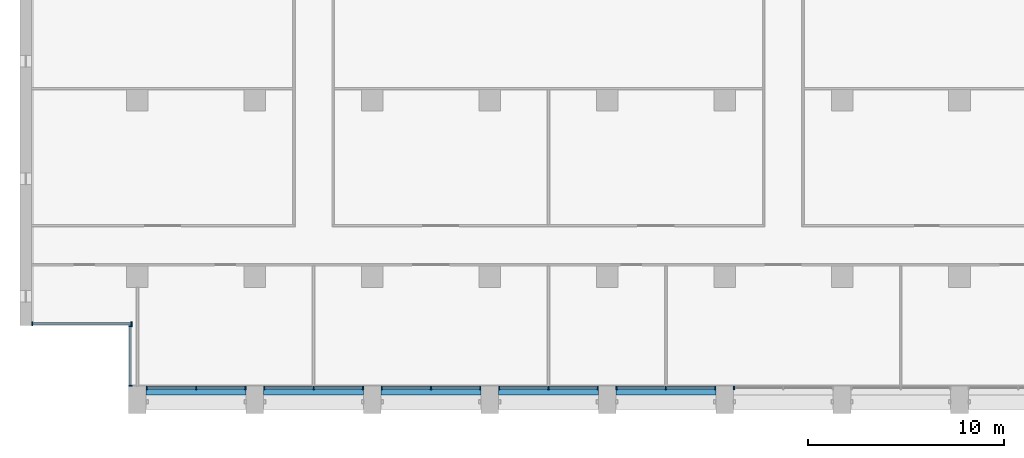
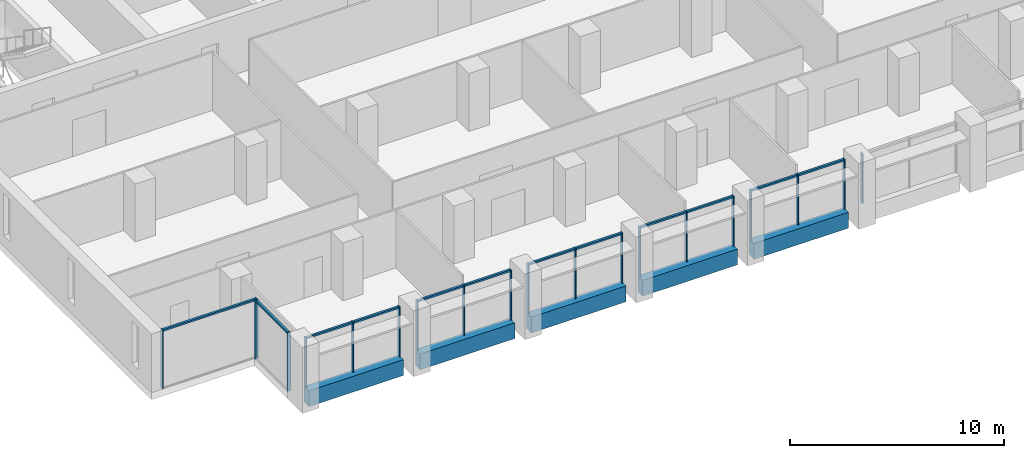
# One storey, part 2 of 17: 32 members, 5 beams, 8 elements without a shape of their own.
"""IFC4 building model written with IfcOpenShell, lengths in metres."""

from ifc_helpers import new_model, si_unit, direction, frame, origin, origin_2d, place, context, subcontext, project, spatial, rectangle, extrude, material, material_profile, profile_set, type_object, element, aggregate, save


model = new_model("IFC4")

# Units and contexts
model_context = context("Model", 3, precision=1e-05, world=origin(), true_north=direction((0.0, 1.0)))
body_context = subcontext(model_context, "Body", "Model", "MODEL_VIEW")
ifc_project = project(units=[si_unit("LENGTHUNIT", "METRE"), si_unit("AREAUNIT", "SQUARE_METRE"), si_unit("VOLUMEUNIT", "CUBIC_METRE"), si_unit("PLANEANGLEUNIT", "RADIAN"), si_unit("MASSUNIT", "GRAM", prefix="KILO")], contexts=[model_context])

# Site, building, storey
site_placement = place(None, origin())
site = spatial("IfcSite", under=ifc_project, at=site_placement, CompositionType="ELEMENT")
building_placement = place(site_placement, origin())
building = spatial("IfcBuilding", under=site, at=building_placement, Name="Calvaro Tower", CompositionType="ELEMENT")
storey_placement = place(building_placement, frame((0.0, 0.0, 196.75)))
storey = spatial("IfcBuildingStorey", under=building, at=storey_placement, Name="L49", CompositionType="ELEMENT", Elevation=196.75)

# Curtain wall, members
ifc_material_1 = material(Name="Anodised aluminium", Category="aluminium")
curtain_wall_type = type_object("IfcCurtainWallType", Name="Office curtain wall, upper zone", PredefinedType="NOTDEFINED", material=ifc_material_1)
curtain_wall_1_placement = place(storey_placement, origin())
curtain_wall_1 = element("IfcCurtainWall", 1, at=curtain_wall_1_placement, inside=storey, type_object=curtain_wall_type, Name="CW3 south curtain wall", PredefinedType="NOTDEFINED")
ifc_material_2 = material(Name="Anodised aluminium", Category="aluminium")
ifc_material_profile_1 = material_profile(ifc_material_2, rectangle(XDim=0.179931640625, YDim=0.06005859375, at=origin_2d()), Name="Mullion S3 60 x 180")
ifc_profile_set_1 = profile_set([ifc_material_profile_1], Name="Anodised aluminium")
member_type_1 = type_object("IfcMemberType", Name="Mullion S3 60 x 180", PredefinedType="MULLION", material=ifc_profile_set_1)
member_1_placement = place(storey_placement, frame((12.47998046875, 4.31005859375, 0.0), z_axis=(0.0, 0.0, 1.0), x_axis=(0.0, 1.0, 0.0)))
member_1 = element("IfcMember", 2, at=member_1_placement, type_object=member_type_1, Name="CW3 mullion 1", PredefinedType="MULLION", context=body_context, shape_type="SweptSolid", body=[
    extrude(rectangle(XDim=0.179931640625, YDim=0.06005859375, at=origin_2d()), origin(), (0.0, 0.0, 1.0), 2.85009765625),
])
member_2_placement = place(storey_placement, frame((15.0, 4.31005859375, 0.0), z_axis=(0.0, 0.0, 1.0), x_axis=(0.0, 1.0, 0.0)))
member_2 = element("IfcMember", 3, at=member_2_placement, type_object=member_type_1, Name="CW3 mullion 2", PredefinedType="MULLION", context=body_context, shape_type="SweptSolid", body=[
    extrude(rectangle(XDim=0.179931640625, YDim=0.06005859375, at=origin_2d()), origin(), (0.0, 0.0, 1.0), 2.85009765625),
])
member_3_placement = place(storey_placement, frame((17.52001953125, 4.31005859375, 0.0), z_axis=(0.0, 0.0, 1.0), x_axis=(0.0, 1.0, 0.0)))
member_3 = element("IfcMember", 4, at=member_3_placement, type_object=member_type_1, Name="CW3 mullion 3", PredefinedType="MULLION", context=body_context, shape_type="SweptSolid", body=[
    extrude(rectangle(XDim=0.179931640625, YDim=0.06005859375, at=origin_2d()), origin(), (0.0, 0.0, 1.0), 2.85009765625),
])

curtain_wall_2_placement = place(storey_placement, origin())
curtain_wall_2 = element("IfcCurtainWall", 5, at=curtain_wall_2_placement, inside=storey, type_object=curtain_wall_type, Name="CW3 south curtain wall", PredefinedType="NOTDEFINED")
member_4_placement = place(storey_placement, frame((18.47998046875, 4.31005859375, 0.0), z_axis=(0.0, 0.0, 1.0), x_axis=(0.0, 1.0, 0.0)))
member_4 = element("IfcMember", 6, at=member_4_placement, type_object=member_type_1, Name="CW3 mullion 1", PredefinedType="MULLION", context=body_context, shape_type="SweptSolid", body=[
    extrude(rectangle(XDim=0.179931640625, YDim=0.06005859375, at=origin_2d()), origin(), (0.0, 0.0, 1.0), 2.85009765625),
])
member_5_placement = place(storey_placement, frame((21.0, 4.31005859375, 0.0), z_axis=(0.0, 0.0, 1.0), x_axis=(0.0, 1.0, 0.0)))
member_5 = element("IfcMember", 7, at=member_5_placement, type_object=member_type_1, Name="CW3 mullion 2", PredefinedType="MULLION", context=body_context, shape_type="SweptSolid", body=[
    extrude(rectangle(XDim=0.179931640625, YDim=0.06005859375, at=origin_2d()), origin(), (0.0, 0.0, 1.0), 2.85009765625),
])
member_6_placement = place(storey_placement, frame((23.52001953125, 4.31005859375, 0.0), z_axis=(0.0, 0.0, 1.0), x_axis=(0.0, 1.0, 0.0)))
member_6 = element("IfcMember", 8, at=member_6_placement, type_object=member_type_1, Name="CW3 mullion 3", PredefinedType="MULLION", context=body_context, shape_type="SweptSolid", body=[
    extrude(rectangle(XDim=0.179931640625, YDim=0.06005859375, at=origin_2d()), origin(), (0.0, 0.0, 1.0), 2.85009765625),
])

curtain_wall_3_placement = place(storey_placement, origin())
curtain_wall_3 = element("IfcCurtainWall", 9, at=curtain_wall_3_placement, inside=storey, type_object=curtain_wall_type, Name="CW3 south curtain wall", PredefinedType="NOTDEFINED")
member_7_placement = place(storey_placement, frame((24.47998046875, 4.31005859375, 0.0), z_axis=(0.0, 0.0, 1.0), x_axis=(0.0, 1.0, 0.0)))
member_7 = element("IfcMember", 10, at=member_7_placement, type_object=member_type_1, Name="CW3 mullion 1", PredefinedType="MULLION", context=body_context, shape_type="SweptSolid", body=[
    extrude(rectangle(XDim=0.179931640625, YDim=0.06005859375, at=origin_2d()), origin(), (0.0, 0.0, 1.0), 2.85009765625),
])
member_8_placement = place(storey_placement, frame((27.0, 4.31005859375, 0.0), z_axis=(0.0, 0.0, 1.0), x_axis=(0.0, 1.0, 0.0)))
member_8 = element("IfcMember", 11, at=member_8_placement, type_object=member_type_1, Name="CW3 mullion 2", PredefinedType="MULLION", context=body_context, shape_type="SweptSolid", body=[
    extrude(rectangle(XDim=0.179931640625, YDim=0.06005859375, at=origin_2d()), origin(), (0.0, 0.0, 1.0), 2.85009765625),
])
member_9_placement = place(storey_placement, frame((29.52001953125, 4.31005859375, 0.0), z_axis=(0.0, 0.0, 1.0), x_axis=(0.0, 1.0, 0.0)))
member_9 = element("IfcMember", 12, at=member_9_placement, type_object=member_type_1, Name="CW3 mullion 3", PredefinedType="MULLION", context=body_context, shape_type="SweptSolid", body=[
    extrude(rectangle(XDim=0.179931640625, YDim=0.06005859375, at=origin_2d()), origin(), (0.0, 0.0, 1.0), 2.85009765625),
])

curtain_wall_4_placement = place(storey_placement, origin())
curtain_wall_4 = element("IfcCurtainWall", 13, at=curtain_wall_4_placement, inside=storey, type_object=curtain_wall_type, Name="CW3 south curtain wall", PredefinedType="NOTDEFINED")
member_10_placement = place(storey_placement, frame((30.47998046875, 4.31005859375, 0.0), z_axis=(0.0, 0.0, 1.0), x_axis=(0.0, 1.0, 0.0)))
member_10 = element("IfcMember", 14, at=member_10_placement, type_object=member_type_1, Name="CW3 mullion 1", PredefinedType="MULLION", context=body_context, shape_type="SweptSolid", body=[
    extrude(rectangle(XDim=0.179931640625, YDim=0.06005859375, at=origin_2d()), origin(), (0.0, 0.0, 1.0), 2.85009765625),
])
member_11_placement = place(storey_placement, frame((33.0, 4.31005859375, 0.0), z_axis=(0.0, 0.0, 1.0), x_axis=(0.0, 1.0, 0.0)))
member_11 = element("IfcMember", 15, at=member_11_placement, type_object=member_type_1, Name="CW3 mullion 2", PredefinedType="MULLION", context=body_context, shape_type="SweptSolid", body=[
    extrude(rectangle(XDim=0.179931640625, YDim=0.06005859375, at=origin_2d()), origin(), (0.0, 0.0, 1.0), 2.85009765625),
])
member_12_placement = place(storey_placement, frame((35.52001953125, 4.31005859375, 0.0), z_axis=(0.0, 0.0, 1.0), x_axis=(0.0, 1.0, 0.0)))
member_12 = element("IfcMember", 16, at=member_12_placement, type_object=member_type_1, Name="CW3 mullion 3", PredefinedType="MULLION", context=body_context, shape_type="SweptSolid", body=[
    extrude(rectangle(XDim=0.179931640625, YDim=0.06005859375, at=origin_2d()), origin(), (0.0, 0.0, 1.0), 2.85009765625),
])

curtain_wall_5_placement = place(storey_placement, origin())
curtain_wall_5 = element("IfcCurtainWall", 17, at=curtain_wall_5_placement, inside=storey, type_object=curtain_wall_type, Name="CW3 south curtain wall", PredefinedType="NOTDEFINED")
member_13_placement = place(storey_placement, frame((36.47998046875, 4.31005859375, 0.0), z_axis=(0.0, 0.0, 1.0), x_axis=(0.0, 1.0, 0.0)))
member_13 = element("IfcMember", 18, at=member_13_placement, type_object=member_type_1, Name="CW3 mullion 1", PredefinedType="MULLION", context=body_context, shape_type="SweptSolid", body=[
    extrude(rectangle(XDim=0.179931640625, YDim=0.06005859375, at=origin_2d()), origin(), (0.0, 0.0, 1.0), 2.85009765625),
])
member_14_placement = place(storey_placement, frame((39.0, 4.31005859375, 0.0), z_axis=(0.0, 0.0, 1.0), x_axis=(0.0, 1.0, 0.0)))
member_14 = element("IfcMember", 19, at=member_14_placement, type_object=member_type_1, Name="CW3 mullion 2", PredefinedType="MULLION", context=body_context, shape_type="SweptSolid", body=[
    extrude(rectangle(XDim=0.179931640625, YDim=0.06005859375, at=origin_2d()), origin(), (0.0, 0.0, 1.0), 2.85009765625),
])
member_15_placement = place(storey_placement, frame((41.52001953125, 4.31005859375, 0.0), z_axis=(0.0, 0.0, 1.0), x_axis=(0.0, 1.0, 0.0)))
member_15 = element("IfcMember", 20, at=member_15_placement, type_object=member_type_1, Name="CW3 mullion 3", PredefinedType="MULLION", context=body_context, shape_type="SweptSolid", body=[
    extrude(rectangle(XDim=0.179931640625, YDim=0.06005859375, at=origin_2d()), origin(), (0.0, 0.0, 1.0), 2.85009765625),
])

# Curtain wall, member
curtain_wall_6_placement = place(storey_placement, origin())
curtain_wall_6 = element("IfcCurtainWall", 21, at=curtain_wall_6_placement, inside=storey, type_object=curtain_wall_type, Name="CW3 south curtain wall", PredefinedType="NOTDEFINED")
member_16_placement = place(storey_placement, frame((42.47998046875, 4.31005859375, 0.0), z_axis=(0.0, 0.0, 1.0), x_axis=(0.0, 1.0, 0.0)))
member_16 = element("IfcMember", 22, at=member_16_placement, type_object=member_type_1, Name="CW3 mullion 1", PredefinedType="MULLION", context=body_context, shape_type="SweptSolid", body=[
    extrude(rectangle(XDim=0.179931640625, YDim=0.06005859375, at=origin_2d()), origin(), (0.0, 0.0, 1.0), 2.85009765625),
])
aggregate(curtain_wall_6, [member_16])

# Curtain wall, members
curtain_wall_7_placement = place(storey_placement, origin())
curtain_wall_7 = element("IfcCurtainWall", 23, at=curtain_wall_7_placement, inside=storey, type_object=curtain_wall_type, Name="CW3 corner curtain wall", PredefinedType="NOTDEFINED")
member_17_placement = place(storey_placement, frame((11.639892578125, 4.429931640625, 0.0), z_axis=(0.0, 0.0, 1.0), x_axis=(-1.0, 0.0, 0.0)))
member_17 = element("IfcMember", 24, at=member_17_placement, type_object=member_type_1, Name="CW3 mullion 1", PredefinedType="MULLION", context=body_context, shape_type="SweptSolid", body=[
    extrude(rectangle(XDim=0.179931640625, YDim=0.06005859375, at=origin_2d()), origin(), (0.0, 0.0, 1.0), 3.35009765625),
])
member_18_placement = place(storey_placement, frame((11.639892578125, 7.469970703125, 0.0), z_axis=(0.0, 0.0, 1.0), x_axis=(-1.0, 0.0, 0.0)))
member_18 = element("IfcMember", 25, at=member_18_placement, type_object=member_type_1, Name="CW3 mullion 2", PredefinedType="MULLION", context=body_context, shape_type="SweptSolid", body=[
    extrude(rectangle(XDim=0.179931640625, YDim=0.06005859375, at=origin_2d()), origin(), (0.0, 0.0, 1.0), 3.35009765625),
])

curtain_wall_8_placement = place(storey_placement, origin())
curtain_wall_8 = element("IfcCurtainWall", 26, at=curtain_wall_8_placement, inside=storey, type_object=curtain_wall_type, Name="CW3 corner curtain wall", PredefinedType="NOTDEFINED")
member_19_placement = place(storey_placement, frame((6.6298828125, 7.590087890625, 0.0), z_axis=(0.0, 0.0, 1.0), x_axis=(0.0, 1.0, 0.0)))
member_19 = element("IfcMember", 27, at=member_19_placement, type_object=member_type_1, Name="CW3 mullion 1", PredefinedType="MULLION", context=body_context, shape_type="SweptSolid", body=[
    extrude(rectangle(XDim=0.179931640625, YDim=0.06005859375, at=origin_2d()), origin(), (0.0, 0.0, 1.0), 3.35009765625),
])
member_20_placement = place(storey_placement, frame((11.699951171875, 7.590087890625, 0.0), z_axis=(0.0, 0.0, 1.0), x_axis=(0.0, 1.0, 0.0)))
member_20 = element("IfcMember", 28, at=member_20_placement, type_object=member_type_1, Name="CW3 mullion 2", PredefinedType="MULLION", context=body_context, shape_type="SweptSolid", body=[
    extrude(rectangle(XDim=0.179931640625, YDim=0.06005859375, at=origin_2d()), origin(), (0.0, 0.0, 1.0), 3.35009765625),
])

# Beams
ifc_material_3 = material(Name="Concrete C50/60 precast", Category="concrete")
ifc_material_profile_2 = material_profile(ifc_material_3, rectangle(XDim=0.449951171875, YDim=0.89990234375, at=origin_2d()), Name="RC 450x900")
ifc_profile_set_2 = profile_set([ifc_material_profile_2], Name="Concrete C50/60 precast")
beam_type = type_object("IfcBeamType", Name="Spandrel beam 450x900 C50/60", PredefinedType="SPANDREL", material=ifc_profile_set_2)
for number, where, z_axis, x_axis, name in (
    (29, (12.449951171875, 4.175048828125, -0.449951171875), (1.0, 0.0, 0.0), (0.0, 1.0, 0.0), "Spandrel beam"),
    (30, (18.449951171875, 4.175048828125, -0.449951171875), (1.0, 0.0, 0.0), (0.0, 1.0, 0.0), "Spandrel beam"),
    (31, (24.449951171875, 4.175048828125, -0.449951171875), (1.0, 0.0, 0.0), (0.0, 1.0, 0.0), "Spandrel beam"),
    (32, (30.449951171875, 4.175048828125, -0.449951171875), (1.0, 0.0, 0.0), (0.0, 1.0, 0.0), "Spandrel beam"),
    (33, (36.449951171875, 4.175048828125, -0.449951171875), (1.0, 0.0, 0.0), (0.0, 1.0, 0.0), "Spandrel beam"),
):
    element("IfcBeam", number, at=place(storey_placement, frame(where, z_axis=z_axis, x_axis=x_axis)), inside=storey, type_object=beam_type, Name=name, PredefinedType="SPANDREL", context=body_context, shape_type="SweptSolid", body=[
        extrude(rectangle(XDim=0.449951171875, YDim=0.89990234375, at=origin_2d()), origin(), (0.0, 0.0, 1.0), 5.10009765625),
    ])

# Member
ifc_material_4 = material(Name="Anodised aluminium", Category="aluminium")
ifc_material_profile_3 = material_profile(ifc_material_4, rectangle(XDim=0.1201171875, YDim=0.10009765625, at=origin_2d()), Name="Transom S3 100 x 120")
ifc_profile_set_3 = profile_set([ifc_material_profile_3], Name="Anodised aluminium")
member_type_2 = type_object("IfcMemberType", Name="Transom S3 100 x 120", PredefinedType="USERDEFINED", material=ifc_profile_set_3)
member_21_placement = place(storey_placement, frame((12.510009765625, 4.31005859375, 2.800048828125), z_axis=(1.0, 0.0, 0.0), x_axis=(0.0, 1.0, 0.0)))
member_21 = element("IfcMember", 34, at=member_21_placement, type_object=member_type_2, Name="CW3 transom 1.1", ObjectType="TRANSOM", PredefinedType="USERDEFINED", context=body_context, shape_type="SweptSolid", body=[
    extrude(rectangle(XDim=0.1201171875, YDim=0.10009765625, at=origin_2d()), origin(), (0.0, 0.0, 1.0), 2.4599609375),
])

member_22_placement = place(storey_placement, frame((15.030029296875, 4.31005859375, 2.800048828125), z_axis=(1.0, 0.0, 0.0), x_axis=(0.0, 1.0, 0.0)))
member_22 = element("IfcMember", 35, at=member_22_placement, type_object=member_type_2, Name="CW3 transom 2.1", ObjectType="TRANSOM", PredefinedType="USERDEFINED", context=body_context, shape_type="SweptSolid", body=[
    extrude(rectangle(XDim=0.1201171875, YDim=0.10009765625, at=origin_2d()), origin(), (0.0, 0.0, 1.0), 2.4599609375),
])

aggregate(curtain_wall_1, [member_1, member_2, member_3, member_21, member_22])

member_23_placement = place(storey_placement, frame((18.510009765625, 4.31005859375, 2.800048828125), z_axis=(1.0, 0.0, 0.0), x_axis=(0.0, 1.0, 0.0)))
member_23 = element("IfcMember", 36, at=member_23_placement, type_object=member_type_2, Name="CW3 transom 1.1", ObjectType="TRANSOM", PredefinedType="USERDEFINED", context=body_context, shape_type="SweptSolid", body=[
    extrude(rectangle(XDim=0.1201171875, YDim=0.10009765625, at=origin_2d()), origin(), (0.0, 0.0, 1.0), 2.4599609375),
])

member_24_placement = place(storey_placement, frame((21.030029296875, 4.31005859375, 2.800048828125), z_axis=(1.0, 0.0, 0.0), x_axis=(0.0, 1.0, 0.0)))
member_24 = element("IfcMember", 37, at=member_24_placement, type_object=member_type_2, Name="CW3 transom 2.1", ObjectType="TRANSOM", PredefinedType="USERDEFINED", context=body_context, shape_type="SweptSolid", body=[
    extrude(rectangle(XDim=0.1201171875, YDim=0.10009765625, at=origin_2d()), origin(), (0.0, 0.0, 1.0), 2.4599609375),
])

aggregate(curtain_wall_2, [member_4, member_5, member_6, member_23, member_24])

member_25_placement = place(storey_placement, frame((24.510009765625, 4.31005859375, 2.800048828125), z_axis=(1.0, 0.0, 0.0), x_axis=(0.0, 1.0, 0.0)))
member_25 = element("IfcMember", 38, at=member_25_placement, type_object=member_type_2, Name="CW3 transom 1.1", ObjectType="TRANSOM", PredefinedType="USERDEFINED", context=body_context, shape_type="SweptSolid", body=[
    extrude(rectangle(XDim=0.1201171875, YDim=0.10009765625, at=origin_2d()), origin(), (0.0, 0.0, 1.0), 2.4599609375),
])

member_26_placement = place(storey_placement, frame((27.030029296875, 4.31005859375, 2.800048828125), z_axis=(1.0, 0.0, 0.0), x_axis=(0.0, 1.0, 0.0)))
member_26 = element("IfcMember", 39, at=member_26_placement, type_object=member_type_2, Name="CW3 transom 2.1", ObjectType="TRANSOM", PredefinedType="USERDEFINED", context=body_context, shape_type="SweptSolid", body=[
    extrude(rectangle(XDim=0.1201171875, YDim=0.10009765625, at=origin_2d()), origin(), (0.0, 0.0, 1.0), 2.4599609375),
])

aggregate(curtain_wall_3, [member_7, member_8, member_9, member_25, member_26])

member_27_placement = place(storey_placement, frame((30.510009765625, 4.31005859375, 2.800048828125), z_axis=(1.0, 0.0, 0.0), x_axis=(0.0, 1.0, 0.0)))
member_27 = element("IfcMember", 40, at=member_27_placement, type_object=member_type_2, Name="CW3 transom 1.1", ObjectType="TRANSOM", PredefinedType="USERDEFINED", context=body_context, shape_type="SweptSolid", body=[
    extrude(rectangle(XDim=0.1201171875, YDim=0.10009765625, at=origin_2d()), origin(), (0.0, 0.0, 1.0), 2.4599609375),
])

member_28_placement = place(storey_placement, frame((33.030029296875, 4.31005859375, 2.800048828125), z_axis=(1.0, 0.0, 0.0), x_axis=(0.0, 1.0, 0.0)))
member_28 = element("IfcMember", 41, at=member_28_placement, type_object=member_type_2, Name="CW3 transom 2.1", ObjectType="TRANSOM", PredefinedType="USERDEFINED", context=body_context, shape_type="SweptSolid", body=[
    extrude(rectangle(XDim=0.1201171875, YDim=0.10009765625, at=origin_2d()), origin(), (0.0, 0.0, 1.0), 2.4599609375),
])

aggregate(curtain_wall_4, [member_10, member_11, member_12, member_27, member_28])

member_29_placement = place(storey_placement, frame((36.510009765625, 4.31005859375, 2.800048828125), z_axis=(1.0, 0.0, 0.0), x_axis=(0.0, 1.0, 0.0)))
member_29 = element("IfcMember", 42, at=member_29_placement, type_object=member_type_2, Name="CW3 transom 1.1", ObjectType="TRANSOM", PredefinedType="USERDEFINED", context=body_context, shape_type="SweptSolid", body=[
    extrude(rectangle(XDim=0.1201171875, YDim=0.10009765625, at=origin_2d()), origin(), (0.0, 0.0, 1.0), 2.4599609375),
])

member_30_placement = place(storey_placement, frame((39.030029296875, 4.31005859375, 2.800048828125), z_axis=(1.0, 0.0, 0.0), x_axis=(0.0, 1.0, 0.0)))
member_30 = element("IfcMember", 43, at=member_30_placement, type_object=member_type_2, Name="CW3 transom 2.1", ObjectType="TRANSOM", PredefinedType="USERDEFINED", context=body_context, shape_type="SweptSolid", body=[
    extrude(rectangle(XDim=0.1201171875, YDim=0.10009765625, at=origin_2d()), origin(), (0.0, 0.0, 1.0), 2.4599609375),
])

aggregate(curtain_wall_5, [member_13, member_14, member_15, member_29, member_30])

member_31_placement = place(storey_placement, frame((11.639892578125, 4.4599609375, 3.300048828125), z_axis=(0.0, 1.0, 0.0), x_axis=(-1.0, 0.0, 0.0)))
member_31 = element("IfcMember", 44, at=member_31_placement, type_object=member_type_2, Name="CW3 transom 1.1", ObjectType="TRANSOM", PredefinedType="USERDEFINED", context=body_context, shape_type="SweptSolid", body=[
    extrude(rectangle(XDim=0.1201171875, YDim=0.10009765625, at=origin_2d()), origin(), (0.0, 0.0, 1.0), 2.97998046875),
])

aggregate(curtain_wall_7, [member_17, member_18, member_31])

member_32_placement = place(storey_placement, frame((6.659912109375, 7.590087890625, 3.300048828125), z_axis=(1.0, 0.0, 0.0), x_axis=(0.0, 1.0, 0.0)))
member_32 = element("IfcMember", 45, at=member_32_placement, type_object=member_type_2, Name="CW3 transom 1.1", ObjectType="TRANSOM", PredefinedType="USERDEFINED", context=body_context, shape_type="SweptSolid", body=[
    extrude(rectangle(XDim=0.1201171875, YDim=0.10009765625, at=origin_2d()), origin(), (0.0, 0.0, 1.0), 5.010009765625),
])

aggregate(curtain_wall_8, [member_19, member_20, member_32])

save(model, "model.ifc")
